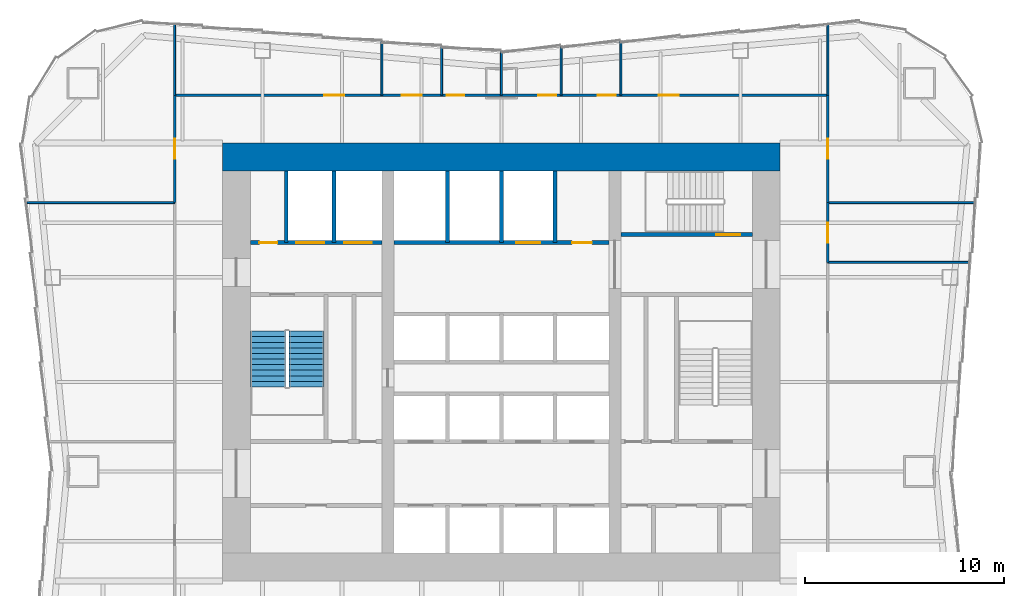
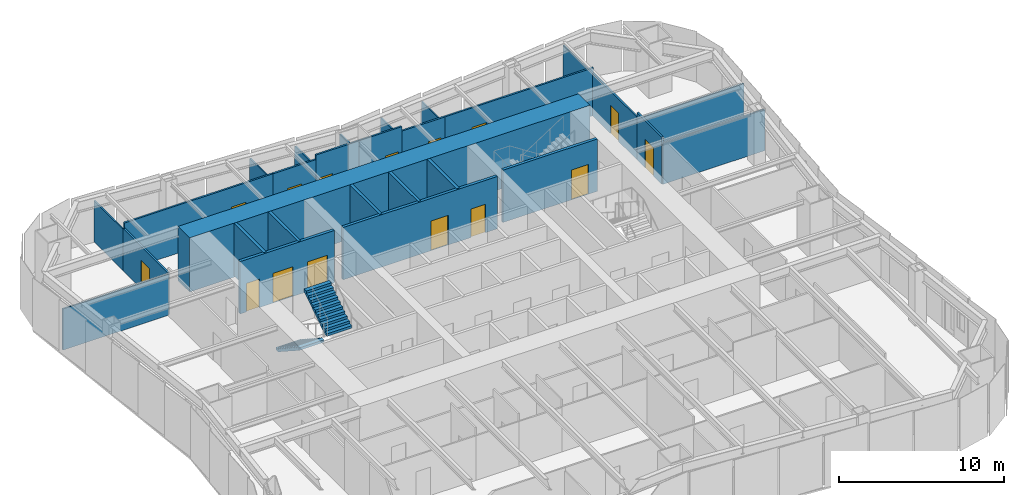
# One storey, part 6 of 9: 28 walls, 15 doors, 2 stair flights, 15 openings, 1 element without a shape of its own.
"""IFC4 building model written with IfcOpenShell, lengths in metres."""

from ifc_helpers import new_model, si_unit, direction, frame, frame_2d, origin, place, context, subcontext, project, spatial, polyline, rectangle, outline, extrude, material, layer, layer_set, type_object, element, fill, aggregate, save


model = new_model("IFC4")

# Units and contexts
model_context = context("Model", 3, precision=1e-05, world=origin(), true_north=direction((0.0, 1.0)))
body_context = subcontext(model_context, "Body", "Model", "MODEL_VIEW")
ifc_project = project(units=[si_unit("LENGTHUNIT", "METRE"), si_unit("AREAUNIT", "SQUARE_METRE"), si_unit("VOLUMEUNIT", "CUBIC_METRE"), si_unit("PLANEANGLEUNIT", "RADIAN"), si_unit("MASSUNIT", "GRAM", prefix="KILO")], contexts=[model_context])

# Site, building, storey
site_placement = place(None, origin())
site = spatial("IfcSite", under=ifc_project, at=site_placement, CompositionType="ELEMENT")
building_placement = place(site_placement, origin())
building = spatial("IfcBuilding", under=site, at=building_placement, Name="Verdant Reach Tower", CompositionType="ELEMENT")
storey_placement = place(building_placement, frame((0.0, 0.0, 30.0)))
storey = spatial("IfcBuildingStorey", under=building, at=storey_placement, Name="L06", CompositionType="ELEMENT", Elevation=30.0)

# Wall, openings, doors
ifc_material_1 = material(Name="Concrete C40/50", Category="concrete")
ifc_layer_1 = layer(ifc_material_1, 0.199951171875)
ifc_layer_set_1 = layer_set([ifc_layer_1], Name="CO-WALL-SHAFT")
wall_type_1 = type_object("IfcWallType", Name="CO-WALL-SHAFT", PredefinedType="PARTITIONING", material=ifc_layer_set_1)
wall_1_placement = place(storey_placement, frame((-12.60009765625, 34.0, 0.0), z_axis=(0.0, 0.0, 1.0), x_axis=(1.0, 0.0, 0.0)))
wall_1 = element("IfcWall", 1, at=wall_1_placement, inside=storey, type_object=wall_type_1, Name="Lift shaft wall, L06", PredefinedType="PARTITIONING", context=body_context, shape_type="SweptSolid", body=[
    extrude(rectangle(XDim=6.60009765625, YDim=0.199951171875, at=frame_2d((3.300048828125, 0.0))), origin(), (0.0, 0.0, 1.0), 3.8701171875),
])
opening_1_placement = place(wall_1_placement, frame((4.699951171875, 0.0, 0.0)))
opening_1 = element("IfcOpeningElement", 2, at=opening_1_placement, cuts=wall_1, Name="Opening LD-F1", PredefinedType="OPENING", context=body_context, shape_type="SweptSolid", body=[
    extrude(rectangle(XDim=1.39990234375, YDim=2.199951171875, at=frame_2d((0.699951171875, 1.10009765625))), frame((0.0, 0.10986328125, 0.0), z_axis=(0.0, -1.0, 0.0), x_axis=(1.0, 0.0, 0.0)), (0.0, 0.0, 1.0), 0.219970703125),
])
opening_2_placement = place(wall_1_placement, frame((2.300048828125, 0.0, 0.0)))
opening_2 = element("IfcOpeningElement", 3, at=opening_2_placement, cuts=wall_1, Name="Opening LD-F2", PredefinedType="OPENING", context=body_context, shape_type="SweptSolid", body=[
    extrude(rectangle(XDim=1.39990234375, YDim=2.199951171875, at=frame_2d((0.699951171875, 1.10009765625))), frame((0.0, 0.10986328125, 0.0), z_axis=(0.0, -1.0, 0.0), x_axis=(1.0, 0.0, 0.0)), (0.0, 0.0, 1.0), 0.219970703125),
])
opening_3_placement = place(wall_1_placement, frame((0.449951171875, 0.0, 0.0)))
opening_3 = element("IfcOpeningElement", 4, at=opening_3_placement, cuts=wall_1, Name="Opening RD", PredefinedType="OPENING", context=body_context, shape_type="SweptSolid", body=[
    extrude(rectangle(XDim=0.89990234375, YDim=2.10009765625, at=frame_2d((0.449951171875, 1.050048828125))), frame((0.0, 0.10986328125, 0.0), z_axis=(0.0, -1.0, 0.0), x_axis=(1.0, 0.0, 0.0)), (0.0, 0.0, 1.0), 0.219970703125),
])
ifc_material_2 = material(Name="Stainless steel", Category="steel")
door_type_1 = type_object("IfcDoorType", Name="CO-DOOR-LANDING-FF", OperationType="SLIDING_TO_LEFT", PredefinedType="DOOR", material=ifc_material_2)
door_1_placement = place(opening_1_placement, origin())
door_1 = element("IfcDoor", 5, at=door_1_placement, inside=storey, type_object=door_type_1, Name="Landing door F1, L06", OperationType="SLIDING_TO_LEFT", OverallHeight=2.199951171875, OverallWidth=1.39990234375, PredefinedType="DOOR", context=body_context, shape_type="SweptSolid", body=[
    extrude(rectangle(XDim=1.39990234375, YDim=2.199951171875, at=frame_2d((0.699951171875, 1.10009765625))), frame((0.0, 0.02490234375, 0.0), z_axis=(0.0, -1.0, 0.0), x_axis=(1.0, 0.0, 0.0)), (0.0, 0.0, 1.0), 0.050048828125),
])
fill(opening_1, door_1)
door_2_placement = place(opening_2_placement, origin())
door_2 = element("IfcDoor", 6, at=door_2_placement, inside=storey, type_object=door_type_1, Name="Landing door F2, L06", OperationType="SLIDING_TO_LEFT", OverallHeight=2.199951171875, OverallWidth=1.39990234375, PredefinedType="DOOR", context=body_context, shape_type="SweptSolid", body=[
    extrude(rectangle(XDim=1.39990234375, YDim=2.199951171875, at=frame_2d((0.699951171875, 1.10009765625))), frame((0.0, 0.02490234375, 0.0), z_axis=(0.0, -1.0, 0.0), x_axis=(1.0, 0.0, 0.0)), (0.0, 0.0, 1.0), 0.050048828125),
])
fill(opening_2, door_2)
ifc_material_3 = material(Name="Steel", Category="steel")
door_type_2 = type_object("IfcDoorType", Name="CO-DOOR-RISER", OperationType="NOTDEFINED", PredefinedType="DOOR", material=ifc_material_3)
door_3_placement = place(opening_3_placement, origin())
door_3 = element("IfcDoor", 7, at=door_3_placement, inside=storey, type_object=door_type_2, Name="Core room door, L06", OperationType="SINGLE_SWING_RIGHT", OverallHeight=2.10009765625, OverallWidth=0.89990234375, PredefinedType="DOOR", context=body_context, shape_type="SweptSolid", body=[
    extrude(rectangle(XDim=0.89990234375, YDim=2.10009765625, at=frame_2d((0.449951171875, 1.050048828125))), frame((0.0, 0.02490234375, 0.0), z_axis=(0.0, -1.0, 0.0), x_axis=(1.0, 0.0, 0.0)), (0.0, 0.0, 1.0), 0.050048828125),
])
fill(opening_3, door_3)

wall_2_placement = place(storey_placement, frame((-5.39990234375, 34.0, 0.0), z_axis=(0.0, 0.0, 1.0), x_axis=(1.0, 0.0, 0.0)))
wall_2 = element("IfcWall", 8, at=wall_2_placement, inside=storey, type_object=wall_type_1, Name="Lift shaft wall, L06", PredefinedType="PARTITIONING", context=body_context, shape_type="SweptSolid", body=[
    extrude(rectangle(XDim=10.7998046875, YDim=0.199951171875, at=frame_2d((5.39990234375, 0.0))), origin(), (0.0, 0.0, 1.0), 3.8701171875),
])
opening_4_placement = place(wall_2_placement, frame((6.14990234375, 0.0, 0.0)))
opening_4 = element("IfcOpeningElement", 9, at=opening_4_placement, cuts=wall_2, Name="Opening LD-SL1", PredefinedType="OPENING", context=body_context, shape_type="SweptSolid", body=[
    extrude(rectangle(XDim=1.199951171875, YDim=2.199951171875, at=frame_2d((0.60009765625, 1.10009765625))), frame((0.0, 0.10986328125, 0.0), z_axis=(0.0, -1.0, 0.0), x_axis=(1.0, 0.0, 0.0)), (0.0, 0.0, 1.0), 0.219970703125),
])
opening_5_placement = place(wall_2_placement, frame((8.949951171875, 0.0, 0.0)))
opening_5 = element("IfcOpeningElement", 10, at=opening_5_placement, cuts=wall_2, Name="Opening CD", PredefinedType="OPENING", context=body_context, shape_type="SweptSolid", body=[
    extrude(rectangle(XDim=1.0, YDim=2.10009765625, at=frame_2d((0.5, 1.050048828125))), frame((0.0, 0.10986328125, 0.0), z_axis=(0.0, -1.0, 0.0), x_axis=(1.0, 0.0, 0.0)), (0.0, 0.0, 1.0), 0.219970703125),
])
door_type_3 = type_object("IfcDoorType", Name="CO-DOOR-LANDING", OperationType="SLIDING_TO_LEFT", PredefinedType="DOOR", material=ifc_material_2)
door_4_placement = place(opening_4_placement, origin())
door_4 = element("IfcDoor", 11, at=door_4_placement, inside=storey, type_object=door_type_3, Name="Landing door SL1, L06", OperationType="SLIDING_TO_LEFT", OverallHeight=2.199951171875, OverallWidth=1.199951171875, PredefinedType="DOOR", context=body_context, shape_type="SweptSolid", body=[
    extrude(rectangle(XDim=1.199951171875, YDim=2.199951171875, at=frame_2d((0.60009765625, 1.10009765625))), frame((0.0, 0.02490234375, 0.0), z_axis=(0.0, -1.0, 0.0), x_axis=(1.0, 0.0, 0.0)), (0.0, 0.0, 1.0), 0.050048828125),
])
fill(opening_4, door_4)
ifc_material_4 = material(Name="Timber", Category="wood")
door_type_4 = type_object("IfcDoorType", Name="CO-DOOR-ROOM", OperationType="NOTDEFINED", PredefinedType="DOOR", material=ifc_material_4)
door_5_placement = place(opening_5_placement, origin())
door_5 = element("IfcDoor", 12, at=door_5_placement, inside=storey, type_object=door_type_4, Name="Core room door, L06", OperationType="SINGLE_SWING_LEFT", OverallHeight=2.10009765625, OverallWidth=1.0, PredefinedType="DOOR", context=body_context, shape_type="SweptSolid", body=[
    extrude(rectangle(XDim=1.0, YDim=2.10009765625, at=frame_2d((0.5, 1.050048828125))), frame((0.0, 0.02490234375, 0.0), z_axis=(0.0, -1.0, 0.0), x_axis=(1.0, 0.0, 0.0)), (0.0, 0.0, 1.0), 0.050048828125),
])
fill(opening_5, door_5)

# Walls
for number, where, z_axis, x_axis, name in (
    (13, (-10.800048828125, 34.0, 0.0), (0.0, 0.0, 1.0), (0.0, 1.0, 0.0), "Lift shaft wall, L06"),
    (14, (-8.39990234375, 34.0, 0.0), (0.0, 0.0, 1.0), (0.0, 1.0, 0.0), "Lift shaft wall, L06"),
    (15, (-2.699951171875, 34.0, 0.0), (0.0, 0.0, 1.0), (0.0, 1.0, 0.0), "Lift shaft wall, L06"),
    (16, (0.0, 34.0, 0.0), (0.0, 0.0, 1.0), (0.0, 1.0, 0.0), "Lift shaft wall, L06"),
    (17, (2.699951171875, 34.0, 0.0), (0.0, 0.0, 1.0), (0.0, 1.0, 0.0), "Lift shaft wall, L06"),
):
    element("IfcWall", number, at=place(storey_placement, frame(where, z_axis=z_axis, x_axis=x_axis)), inside=storey, type_object=wall_type_1, Name=name, PredefinedType="PARTITIONING", context=body_context, shape_type="SweptSolid", body=[
        extrude(rectangle(XDim=3.60009765625, YDim=0.199951171875, at=frame_2d((1.800048828125, 0.0))), origin(), (0.0, 0.0, 1.0), 3.8701171875),
    ])

# Wall, opening, door
ifc_layer_2 = layer(ifc_material_1, 0.199951171875)
ifc_layer_set_2 = layer_set([ifc_layer_2], Name="CO-WALL-STAIR")
wall_type_2 = type_object("IfcWallType", Name="CO-WALL-STAIR", PredefinedType="PARTITIONING", material=ifc_layer_set_2)
wall_3_placement = place(storey_placement, frame((6.0, 34.39990234375, 0.0), z_axis=(0.0, 0.0, 1.0), x_axis=(1.0, 0.0, 0.0)))
wall_3 = element("IfcWall", 18, at=wall_3_placement, inside=storey, type_object=wall_type_2, Name="Stair enclosure wall, L06", PredefinedType="PARTITIONING", context=body_context, shape_type="SweptSolid", body=[
    extrude(rectangle(XDim=6.60009765625, YDim=0.199951171875, at=frame_2d((3.300048828125, 0.0))), origin(), (0.0, 0.0, 1.0), 3.8701171875),
])
opening_6_placement = place(wall_3_placement, frame((4.800048828125, 0.0, 0.0)))
opening_6 = element("IfcOpeningElement", 19, at=opening_6_placement, cuts=wall_3, Name="Opening SD", PredefinedType="OPENING", context=body_context, shape_type="SweptSolid", body=[
    extrude(rectangle(XDim=1.199951171875, YDim=2.199951171875, at=frame_2d((0.60009765625, 1.10009765625))), frame((0.0, 0.10986328125, 0.0), z_axis=(0.0, -1.0, 0.0), x_axis=(1.0, 0.0, 0.0)), (0.0, 0.0, 1.0), 0.219970703125),
])
door_type_5 = type_object("IfcDoorType", Name="CO-DOOR-STAIR", OperationType="NOTDEFINED", PredefinedType="DOOR", material=ifc_material_3)
door_6_placement = place(opening_6_placement, origin())
door_6 = element("IfcDoor", 20, at=door_6_placement, inside=storey, type_object=door_type_5, Name="Stair door, L06", OperationType="SINGLE_SWING_RIGHT", OverallHeight=2.199951171875, OverallWidth=1.199951171875, PredefinedType="DOOR", context=body_context, shape_type="SweptSolid", body=[
    extrude(rectangle(XDim=1.199951171875, YDim=2.199951171875, at=frame_2d((0.60009765625, 1.10009765625))), frame((0.0, 0.02490234375, 0.0), z_axis=(0.0, -1.0, 0.0), x_axis=(1.0, 0.0, 0.0)), (0.0, 0.0, 1.0), 0.050048828125),
])
fill(opening_6, door_6)

# Walls
ifc_material_5 = material(Name="Gypsum board on steel studs", Category="steel")
ifc_layer_3 = layer(ifc_material_5, 0.10009765625)
ifc_layer_set_3 = layer_set([ifc_layer_3], Name="FL-W1 Partition 100")
wall_type_3 = type_object("IfcWallType", Name="FL-W1 Partition 100", PredefinedType="PARTITIONING", material=ifc_layer_set_3)
wall_4_placement = place(storey_placement, frame((-6.0, 41.39990234375, 0.0), z_axis=(0.0, 0.0, 1.0), x_axis=(0.0, 1.0, 0.0)))
element("IfcWall", 21, at=wall_4_placement, inside=storey, type_object=wall_type_3, Name="Partition 06.49", PredefinedType="PARTITIONING", context=body_context, shape_type="SweptSolid", body=[
    extrude(rectangle(XDim=2.68017578125, YDim=0.10009765625, at=frame_2d((1.340087890625, 0.0))), origin(), (0.0, 0.0, 1.0), 3.0400390625),
])
wall_5_placement = place(storey_placement, frame((-16.39990234375, 44.94677734375, 0.0), z_axis=(0.0, 0.0, 1.0), x_axis=(0.0, -1.0, 0.0)))
element("IfcWall", 22, at=wall_5_placement, inside=storey, type_object=wall_type_3, Name="Partition 06.50", PredefinedType="PARTITIONING", context=body_context, shape_type="SweptSolid", body=[
    extrude(rectangle(XDim=3.55078125, YDim=0.10009765625, at=frame_2d((1.775390625, 0.0))), origin(), (0.0, 0.0, 1.0), 3.0400390625),
])
wall_6_placement = place(storey_placement, frame((-3.0, 41.39990234375, 0.0), z_axis=(0.0, 0.0, 1.0), x_axis=(0.0, 1.0, 0.0)))
element("IfcWall", 23, at=wall_6_placement, inside=storey, type_object=wall_type_3, Name="Partition 06.51", PredefinedType="PARTITIONING", context=body_context, shape_type="SweptSolid", body=[
    extrude(rectangle(XDim=2.43017578125, YDim=0.10009765625, at=frame_2d((1.215087890625, 0.0))), origin(), (0.0, 0.0, 1.0), 3.0400390625),
])
wall_7_placement = place(storey_placement, frame((0.0, 41.39990234375, 0.0), z_axis=(0.0, 0.0, 1.0), x_axis=(0.0, 1.0, 0.0)))
element("IfcWall", 24, at=wall_7_placement, inside=storey, type_object=wall_type_3, Name="Partition 06.52", PredefinedType="PARTITIONING", context=body_context, shape_type="SweptSolid", body=[
    extrude(rectangle(XDim=2.18017578125, YDim=0.10009765625, at=frame_2d((1.090087890625, 0.0))), origin(), (0.0, 0.0, 1.0), 3.0400390625),
])
wall_8_placement = place(storey_placement, frame((3.0, 41.39990234375, 0.0), z_axis=(0.0, 0.0, 1.0), x_axis=(0.0, 1.0, 0.0)))
element("IfcWall", 25, at=wall_8_placement, inside=storey, type_object=wall_type_3, Name="Partition 06.53", PredefinedType="PARTITIONING", context=body_context, shape_type="SweptSolid", body=[
    extrude(rectangle(XDim=2.43017578125, YDim=0.10009765625, at=frame_2d((1.215087890625, 0.0))), origin(), (0.0, 0.0, 1.0), 3.0400390625),
])
wall_9_placement = place(storey_placement, frame((6.0, 41.39990234375, 0.0), z_axis=(0.0, 0.0, 1.0), x_axis=(0.0, 1.0, 0.0)))
element("IfcWall", 26, at=wall_9_placement, inside=storey, type_object=wall_type_3, Name="Partition 06.54", PredefinedType="PARTITIONING", context=body_context, shape_type="SweptSolid", body=[
    extrude(rectangle(XDim=2.68017578125, YDim=0.10009765625, at=frame_2d((1.340087890625, 0.0))), origin(), (0.0, 0.0, 1.0), 3.0400390625),
])
wall_10_placement = place(storey_placement, frame((16.39990234375, 41.39599609375, 0.0), z_axis=(0.0, 0.0, 1.0), x_axis=(0.0, 1.0, 0.0)))
element("IfcWall", 27, at=wall_10_placement, inside=storey, type_object=wall_type_3, Name="Partition 06.55", PredefinedType="PARTITIONING", context=body_context, shape_type="SweptSolid", body=[
    extrude(rectangle(XDim=3.55078125, YDim=0.10009765625, at=frame_2d((1.775390625, 0.0))), origin(), (0.0, 0.0, 1.0), 3.0400390625),
])
wall_11_placement = place(storey_placement, frame((-16.39990234375, 36.0, 0.0), z_axis=(0.0, 0.0, 1.0), x_axis=(-1.0, 0.0, 0.0)))
element("IfcWall", 28, at=wall_11_placement, inside=storey, type_object=wall_type_3, Name="Partition 06.57", PredefinedType="PARTITIONING", context=body_context, shape_type="SweptSolid", body=[
    extrude(rectangle(XDim=7.407470703125, YDim=0.10009765625, at=frame_2d((3.70361328125, 0.0))), origin(), (0.0, 0.0, 1.0), 3.0400390625),
])
wall_12_placement = place(storey_placement, frame((23.534423828125, 33.0, 0.0), z_axis=(0.0, 0.0, 1.0), x_axis=(-1.0, 0.0, 0.0)))
element("IfcWall", 29, at=wall_12_placement, inside=storey, type_object=wall_type_3, Name="Partition 06.60", PredefinedType="PARTITIONING", context=body_context, shape_type="SweptSolid", body=[
    extrude(rectangle(XDim=7.134521484375, YDim=0.10009765625, at=frame_2d((3.5673828125, 0.0))), origin(), (0.0, 0.0, 1.0), 3.0400390625),
])
wall_13_placement = place(storey_placement, frame((23.807373046875, 36.0, 0.0), z_axis=(0.0, 0.0, 1.0), x_axis=(-1.0, 0.0, 0.0)))
element("IfcWall", 30, at=wall_13_placement, inside=storey, type_object=wall_type_3, Name="Partition 06.61", PredefinedType="PARTITIONING", context=body_context, shape_type="SweptSolid", body=[
    extrude(rectangle(XDim=7.407470703125, YDim=0.10009765625, at=frame_2d((3.70361328125, 0.0))), origin(), (0.0, 0.0, 1.0), 3.0400390625),
])

# Wall, opening, door
ifc_material_6 = material(Name="Gypsum board on steel studs, fire rated", Category="steel")
ifc_layer_4 = layer(ifc_material_6, 0.125)
ifc_layer_set_4 = layer_set([ifc_layer_4], Name="FL-W2 Corridor wall 125")
wall_type_4 = type_object("IfcWallType", Name="FL-W2 Corridor wall 125", PredefinedType="PARTITIONING", material=ifc_layer_set_4)
wall_14_placement = place(storey_placement, frame((-16.39990234375, 41.39990234375, 0.0), z_axis=(0.0, 0.0, 1.0), x_axis=(1.0, 0.0, 0.0)))
wall_14 = element("IfcWall", 31, at=wall_14_placement, inside=storey, type_object=wall_type_4, Name="Partition 06.08", PredefinedType="PARTITIONING", context=body_context, shape_type="SweptSolid", body=[
    extrude(rectangle(XDim=10.39990234375, YDim=0.125, at=frame_2d((5.199951171875, 0.0))), origin(), (0.0, 0.0, 1.0), 3.5400390625),
])
opening_7_placement = place(wall_14_placement, frame((7.5, 0.0, 0.0)))
opening_7 = element("IfcOpeningElement", 32, at=opening_7_placement, cuts=wall_14, Name="Opening D2", PredefinedType="OPENING", context=body_context, shape_type="SweptSolid", body=[
    extrude(rectangle(XDim=1.0, YDim=2.10009765625, at=frame_2d((0.5, 1.050048828125))), frame((0.0, 0.072509765625, 0.0), z_axis=(0.0, -1.0, 0.0), x_axis=(1.0, 0.0, 0.0)), (0.0, 0.0, 1.0), 0.14501953125),
])
ifc_material_7 = material(Name="Timber door leaf, fire rated", Category="wood")
door_type_6 = type_object("IfcDoorType", Name="FL-D2 Entrance door 1000x2100 FD30", OperationType="NOTDEFINED", PredefinedType="DOOR", material=ifc_material_7)
door_7_placement = place(opening_7_placement, origin())
door_7 = element("IfcDoor", 33, at=door_7_placement, inside=storey, type_object=door_type_6, Name="Door 06-004", OperationType="SINGLE_SWING_RIGHT", OverallHeight=2.10009765625, OverallWidth=1.0, PredefinedType="DOOR", context=body_context, shape_type="SweptSolid", body=[
    extrude(rectangle(XDim=1.0, YDim=2.10009765625, at=frame_2d((0.5, 1.050048828125))), frame((0.0, 0.02490234375, 0.0), z_axis=(0.0, -1.0, 0.0), x_axis=(1.0, 0.0, 0.0)), (0.0, 0.0, 1.0), 0.050048828125),
])
fill(opening_7, door_7)

wall_15_placement = place(storey_placement, frame((-6.0, 41.39990234375, 0.0), z_axis=(0.0, 0.0, 1.0), x_axis=(1.0, 0.0, 0.0)))
wall_15 = element("IfcWall", 34, at=wall_15_placement, inside=storey, type_object=wall_type_4, Name="Partition 06.09", PredefinedType="PARTITIONING", context=body_context, shape_type="SweptSolid", body=[
    extrude(rectangle(XDim=3.0, YDim=0.125, at=frame_2d((1.5, 0.0))), origin(), (0.0, 0.0, 1.0), 3.5400390625),
])
opening_8_placement = place(wall_15_placement, frame((1.0, 0.0, 0.0)))
opening_8 = element("IfcOpeningElement", 35, at=opening_8_placement, cuts=wall_15, Name="Opening D2", PredefinedType="OPENING", context=body_context, shape_type="SweptSolid", body=[
    extrude(rectangle(XDim=1.0, YDim=2.10009765625, at=frame_2d((0.5, 1.050048828125))), frame((0.0, 0.072509765625, 0.0), z_axis=(0.0, -1.0, 0.0), x_axis=(1.0, 0.0, 0.0)), (0.0, 0.0, 1.0), 0.14501953125),
])
door_8_placement = place(opening_8_placement, origin())
door_8 = element("IfcDoor", 36, at=door_8_placement, inside=storey, type_object=door_type_6, Name="Door 06-005", OperationType="SINGLE_SWING_LEFT", OverallHeight=2.10009765625, OverallWidth=1.0, PredefinedType="DOOR", context=body_context, shape_type="SweptSolid", body=[
    extrude(rectangle(XDim=1.0, YDim=2.10009765625, at=frame_2d((0.5, 1.050048828125))), frame((0.0, 0.02490234375, 0.0), z_axis=(0.0, -1.0, 0.0), x_axis=(1.0, 0.0, 0.0)), (0.0, 0.0, 1.0), 0.050048828125),
])
fill(opening_8, door_8)

wall_16_placement = place(storey_placement, frame((-3.0, 41.39990234375, 0.0), z_axis=(0.0, 0.0, 1.0), x_axis=(1.0, 0.0, 0.0)))
wall_16 = element("IfcWall", 37, at=wall_16_placement, inside=storey, type_object=wall_type_4, Name="Partition 06.10", PredefinedType="PARTITIONING", context=body_context, shape_type="SweptSolid", body=[
    extrude(rectangle(XDim=3.0, YDim=0.125, at=frame_2d((1.5, 0.0))), origin(), (0.0, 0.0, 1.0), 3.8701171875),
])
opening_9_placement = place(wall_16_placement, frame((0.25, 0.0, 0.0)))
opening_9 = element("IfcOpeningElement", 38, at=opening_9_placement, cuts=wall_16, Name="Opening D1", PredefinedType="OPENING", context=body_context, shape_type="SweptSolid", body=[
    extrude(rectangle(XDim=0.89990234375, YDim=2.10009765625, at=frame_2d((0.449951171875, 1.050048828125))), frame((0.0, 0.072509765625, 0.0), z_axis=(0.0, -1.0, 0.0), x_axis=(1.0, 0.0, 0.0)), (0.0, 0.0, 1.0), 0.14501953125),
])
ifc_material_8 = material(Name="Painted timber door leaf", Category="wood")
door_type_7 = type_object("IfcDoorType", Name="FL-D1 Door 900x2100", OperationType="NOTDEFINED", PredefinedType="DOOR", material=ifc_material_8)
door_9_placement = place(opening_9_placement, origin())
door_9 = element("IfcDoor", 39, at=door_9_placement, inside=storey, type_object=door_type_7, Name="Door 06-006", OperationType="SINGLE_SWING_LEFT", OverallHeight=2.10009765625, OverallWidth=0.89990234375, PredefinedType="DOOR", context=body_context, shape_type="SweptSolid", body=[
    extrude(rectangle(XDim=0.89990234375, YDim=2.10009765625, at=frame_2d((0.449951171875, 1.050048828125))), frame((0.0, 0.02490234375, 0.0), z_axis=(0.0, -1.0, 0.0), x_axis=(1.0, 0.0, 0.0)), (0.0, 0.0, 1.0), 0.050048828125),
])
fill(opening_9, door_9)

wall_17_placement = place(storey_placement, frame((0.0, 41.39990234375, 0.0), z_axis=(0.0, 0.0, 1.0), x_axis=(1.0, 0.0, 0.0)))
wall_17 = element("IfcWall", 40, at=wall_17_placement, inside=storey, type_object=wall_type_4, Name="Partition 06.11", PredefinedType="PARTITIONING", context=body_context, shape_type="SweptSolid", body=[
    extrude(rectangle(XDim=3.0, YDim=0.125, at=frame_2d((1.5, 0.0))), origin(), (0.0, 0.0, 1.0), 3.8701171875),
])
opening_10_placement = place(wall_17_placement, frame((1.85009765625, 0.0, 0.0)))
opening_10 = element("IfcOpeningElement", 41, at=opening_10_placement, cuts=wall_17, Name="Opening D1", PredefinedType="OPENING", context=body_context, shape_type="SweptSolid", body=[
    extrude(rectangle(XDim=0.89990234375, YDim=2.10009765625, at=frame_2d((0.449951171875, 1.050048828125))), frame((0.0, 0.072509765625, 0.0), z_axis=(0.0, -1.0, 0.0), x_axis=(1.0, 0.0, 0.0)), (0.0, 0.0, 1.0), 0.14501953125),
])
door_10_placement = place(opening_10_placement, origin())
door_10 = element("IfcDoor", 42, at=door_10_placement, inside=storey, type_object=door_type_7, Name="Door 06-007", OperationType="SINGLE_SWING_RIGHT", OverallHeight=2.10009765625, OverallWidth=0.89990234375, PredefinedType="DOOR", context=body_context, shape_type="SweptSolid", body=[
    extrude(rectangle(XDim=0.89990234375, YDim=2.10009765625, at=frame_2d((0.449951171875, 1.050048828125))), frame((0.0, 0.02490234375, 0.0), z_axis=(0.0, -1.0, 0.0), x_axis=(1.0, 0.0, 0.0)), (0.0, 0.0, 1.0), 0.050048828125),
])
fill(opening_10, door_10)

wall_18_placement = place(storey_placement, frame((3.0, 41.39990234375, 0.0), z_axis=(0.0, 0.0, 1.0), x_axis=(1.0, 0.0, 0.0)))
wall_18 = element("IfcWall", 43, at=wall_18_placement, inside=storey, type_object=wall_type_4, Name="Partition 06.12", PredefinedType="PARTITIONING", context=body_context, shape_type="SweptSolid", body=[
    extrude(rectangle(XDim=3.0, YDim=0.125, at=frame_2d((1.5, 0.0))), origin(), (0.0, 0.0, 1.0), 3.5400390625),
])
opening_11_placement = place(wall_18_placement, frame((1.85009765625, 0.0, 0.0)))
opening_11 = element("IfcOpeningElement", 44, at=opening_11_placement, cuts=wall_18, Name="Opening D1", PredefinedType="OPENING", context=body_context, shape_type="SweptSolid", body=[
    extrude(rectangle(XDim=0.89990234375, YDim=2.10009765625, at=frame_2d((0.449951171875, 1.050048828125))), frame((0.0, 0.072509765625, 0.0), z_axis=(0.0, -1.0, 0.0), x_axis=(1.0, 0.0, 0.0)), (0.0, 0.0, 1.0), 0.14501953125),
])
door_11_placement = place(opening_11_placement, origin())
door_11 = element("IfcDoor", 45, at=door_11_placement, inside=storey, type_object=door_type_7, Name="Door 06-008", OperationType="SINGLE_SWING_RIGHT", OverallHeight=2.10009765625, OverallWidth=0.89990234375, PredefinedType="DOOR", context=body_context, shape_type="SweptSolid", body=[
    extrude(rectangle(XDim=0.89990234375, YDim=2.10009765625, at=frame_2d((0.449951171875, 1.050048828125))), frame((0.0, 0.02490234375, 0.0), z_axis=(0.0, -1.0, 0.0), x_axis=(1.0, 0.0, 0.0)), (0.0, 0.0, 1.0), 0.050048828125),
])
fill(opening_11, door_11)

wall_19_placement = place(storey_placement, frame((6.0, 41.39990234375, 0.0), z_axis=(0.0, 0.0, 1.0), x_axis=(1.0, 0.0, 0.0)))
wall_19 = element("IfcWall", 46, at=wall_19_placement, inside=storey, type_object=wall_type_4, Name="Partition 06.13", PredefinedType="PARTITIONING", context=body_context, shape_type="SweptSolid", body=[
    extrude(rectangle(XDim=10.39990234375, YDim=0.125, at=frame_2d((5.199951171875, 0.0))), origin(), (0.0, 0.0, 1.0), 3.5400390625),
])
opening_12_placement = place(wall_19_placement, frame((1.89990234375, 0.0, 0.0)))
opening_12 = element("IfcOpeningElement", 47, at=opening_12_placement, cuts=wall_19, Name="Opening D2", PredefinedType="OPENING", context=body_context, shape_type="SweptSolid", body=[
    extrude(rectangle(XDim=1.0, YDim=2.10009765625, at=frame_2d((0.5, 1.050048828125))), frame((0.0, 0.072509765625, 0.0), z_axis=(0.0, -1.0, 0.0), x_axis=(1.0, 0.0, 0.0)), (0.0, 0.0, 1.0), 0.14501953125),
])
door_12_placement = place(opening_12_placement, origin())
door_12 = element("IfcDoor", 48, at=door_12_placement, inside=storey, type_object=door_type_6, Name="Door 06-009", OperationType="SINGLE_SWING_LEFT", OverallHeight=2.10009765625, OverallWidth=1.0, PredefinedType="DOOR", context=body_context, shape_type="SweptSolid", body=[
    extrude(rectangle(XDim=1.0, YDim=2.10009765625, at=frame_2d((0.5, 1.050048828125))), frame((0.0, 0.02490234375, 0.0), z_axis=(0.0, -1.0, 0.0), x_axis=(1.0, 0.0, 0.0)), (0.0, 0.0, 1.0), 0.050048828125),
])
fill(opening_12, door_12)

wall_20_placement = place(storey_placement, frame((-16.39990234375, 36.0, 0.0), z_axis=(0.0, 0.0, 1.0), x_axis=(0.0, 1.0, 0.0)))
wall_20 = element("IfcWall", 49, at=wall_20_placement, inside=storey, type_object=wall_type_4, Name="Partition 06.16", PredefinedType="PARTITIONING", context=body_context, shape_type="SweptSolid", body=[
    extrude(rectangle(XDim=5.404052734375, YDim=0.125, at=frame_2d((2.7021484375, 0.0))), origin(), (0.0, 0.0, 1.0), 3.139892578125),
])
opening_13_placement = place(wall_20_placement, frame((2.201904296875, 0.0, 0.0)))
opening_13 = element("IfcOpeningElement", 50, at=opening_13_placement, cuts=wall_20, Name="Opening D2", PredefinedType="OPENING", context=body_context, shape_type="SweptSolid", body=[
    extrude(rectangle(XDim=1.0, YDim=2.10009765625, at=frame_2d((0.5, 1.050048828125))), frame((0.0, 0.072509765625, 0.0), z_axis=(0.0, -1.0, 0.0), x_axis=(1.0, 0.0, 0.0)), (0.0, 0.0, 1.0), 0.14501953125),
])
door_13_placement = place(opening_13_placement, origin())
door_13 = element("IfcDoor", 51, at=door_13_placement, inside=storey, type_object=door_type_6, Name="Door 06-012", OperationType="SINGLE_SWING_RIGHT", OverallHeight=2.10009765625, OverallWidth=1.0, PredefinedType="DOOR", context=body_context, shape_type="SweptSolid", body=[
    extrude(rectangle(XDim=1.0, YDim=2.10009765625, at=frame_2d((0.5, 1.050048828125))), frame((0.0, 0.02490234375, 0.0), z_axis=(0.0, -1.0, 0.0), x_axis=(1.0, 0.0, 0.0)), (0.0, 0.0, 1.0), 0.050048828125),
])
fill(opening_13, door_13)

wall_21_placement = place(storey_placement, frame((16.39990234375, 36.0, 0.0), z_axis=(0.0, 0.0, 1.0), x_axis=(0.0, -1.0, 0.0)))
wall_21 = element("IfcWall", 52, at=wall_21_placement, inside=storey, type_object=wall_type_4, Name="Partition 06.20", PredefinedType="PARTITIONING", context=body_context, shape_type="SweptSolid", body=[
    extrude(rectangle(XDim=3.0, YDim=0.125, at=frame_2d((1.5, 0.0))), origin(), (0.0, 0.0, 1.0), 3.47998046875),
])
opening_14_placement = place(wall_21_placement, frame((1.0, 0.0, 0.0)))
opening_14 = element("IfcOpeningElement", 53, at=opening_14_placement, cuts=wall_21, Name="Opening D2", PredefinedType="OPENING", context=body_context, shape_type="SweptSolid", body=[
    extrude(rectangle(XDim=1.0, YDim=2.10009765625, at=frame_2d((0.5, 1.050048828125))), frame((0.0, 0.072509765625, 0.0), z_axis=(0.0, -1.0, 0.0), x_axis=(1.0, 0.0, 0.0)), (0.0, 0.0, 1.0), 0.14501953125),
])
door_14_placement = place(opening_14_placement, origin())
door_14 = element("IfcDoor", 54, at=door_14_placement, inside=storey, type_object=door_type_6, Name="Door 06-016", OperationType="SINGLE_SWING_RIGHT", OverallHeight=2.10009765625, OverallWidth=1.0, PredefinedType="DOOR", context=body_context, shape_type="SweptSolid", body=[
    extrude(rectangle(XDim=1.0, YDim=2.10009765625, at=frame_2d((0.5, 1.050048828125))), frame((0.0, 0.02490234375, 0.0), z_axis=(0.0, -1.0, 0.0), x_axis=(1.0, 0.0, 0.0)), (0.0, 0.0, 1.0), 0.050048828125),
])
fill(opening_14, door_14)

wall_22_placement = place(storey_placement, frame((16.39990234375, 41.404052734375, 0.0), z_axis=(0.0, 0.0, 1.0), x_axis=(0.0, -1.0, 0.0)))
wall_22 = element("IfcWall", 55, at=wall_22_placement, inside=storey, type_object=wall_type_4, Name="Partition 06.21", PredefinedType="PARTITIONING", context=body_context, shape_type="SweptSolid", body=[
    extrude(rectangle(XDim=5.404052734375, YDim=0.125, at=frame_2d((2.7021484375, 0.0))), origin(), (0.0, 0.0, 1.0), 3.139892578125),
])
opening_15_placement = place(wall_22_placement, frame((2.201904296875, 0.0, 0.0)))
opening_15 = element("IfcOpeningElement", 56, at=opening_15_placement, cuts=wall_22, Name="Opening D2", PredefinedType="OPENING", context=body_context, shape_type="SweptSolid", body=[
    extrude(rectangle(XDim=1.0, YDim=2.10009765625, at=frame_2d((0.5, 1.050048828125))), frame((0.0, 0.072509765625, 0.0), z_axis=(0.0, -1.0, 0.0), x_axis=(1.0, 0.0, 0.0)), (0.0, 0.0, 1.0), 0.14501953125),
])
door_15_placement = place(opening_15_placement, origin())
door_15 = element("IfcDoor", 57, at=door_15_placement, inside=storey, type_object=door_type_6, Name="Door 06-017", OperationType="SINGLE_SWING_LEFT", OverallHeight=2.10009765625, OverallWidth=1.0, PredefinedType="DOOR", context=body_context, shape_type="SweptSolid", body=[
    extrude(rectangle(XDim=1.0, YDim=2.10009765625, at=frame_2d((0.5, 1.050048828125))), frame((0.0, 0.02490234375, 0.0), z_axis=(0.0, -1.0, 0.0), x_axis=(1.0, 0.0, 0.0)), (0.0, 0.0, 1.0), 0.050048828125),
])
fill(opening_15, door_15)

# Wall
ifc_material_9 = material(Name="Concrete C70/85", Category="concrete")
ifc_layer_5 = layer(ifc_material_9, 1.39990234375)
ifc_layer_set_5 = layer_set([ifc_layer_5], Name="ST-CORE-WALL-1400")
wall_type_5 = type_object("IfcWallType", Name="ST-CORE-WALL-1400", PredefinedType="SHEAR", material=ifc_layer_set_5)
wall_23_placement = place(storey_placement, frame((-14.0, 38.300048828125, -0.1298828125), z_axis=(0.0, 0.0, 1.0), x_axis=(1.0, 0.0, 0.0)))
element("IfcWall", 58, at=wall_23_placement, inside=storey, type_object=wall_type_5, Name="Core wall N, L06", PredefinedType="SHEAR", context=body_context, shape_type="SweptSolid", body=[
    extrude(rectangle(XDim=28.0, YDim=1.39990234375, at=frame_2d((14.0, 0.0))), origin(), (0.0, 0.0, 1.0), 4.0),
])

# Stair, stair flights
stair_type = type_object("IfcStairType", Name="CO-STAIR", PredefinedType="HALF_TURN_STAIR", material=ifc_material_1)
stair_placement = place(storey_placement, origin())
stair = element("IfcStair", 59, at=stair_placement, inside=storey, type_object=stair_type, Name="L06 Exit stair 1", PredefinedType="HALF_TURN_STAIR")
stair_flight_type = type_object("IfcStairFlightType", Name="CO-STAIR-FLIGHT", PredefinedType="STRAIGHT", material=ifc_material_1)
stair_flight_1_placement = place(storey_placement, frame((-11.72509765625, 29.550048828125, 0.0), z_axis=(0.0, 0.0, 1.0), x_axis=(0.0, -1.0, 0.0)))
stair_flight_1 = element("IfcStairFlight", 60, at=stair_flight_1_placement, type_object=stair_flight_type, Name="ST-1 flight 1", NumberOfRisers=11, NumberOfTreads=10, PredefinedType="STRAIGHT", RiserHeight=0.181818182, TreadLength=0.28, context=body_context, shape_type="SweptSolid", body=[
    extrude(outline(polyline([(0.0, 0.0), (0.0, 0.181884765625), (0.280029296875, 0.181884765625), (0.280029296875, 0.363525390625), (0.56005859375, 0.363525390625), (0.56005859375, 0.54541015625), (0.840087890625, 0.54541015625), (0.840087890625, 0.727294921875), (1.1201171875, 0.727294921875), (1.1201171875, 0.9091796875), (1.39990234375, 0.9091796875), (1.39990234375, 1.0908203125), (1.679931640625, 1.0908203125), (1.679931640625, 1.272705078125), (1.9599609375, 1.272705078125), (1.9599609375, 1.45458984375), (2.239990234375, 1.45458984375), (2.239990234375, 1.636474609375), (2.52001953125, 1.636474609375), (2.52001953125, 1.818115234375), (2.800048828125, 1.818115234375), (2.800048828125, 2.0), (2.800048828125, 1.639404296875), (0.275146484375, 0.0), (0.0, 0.0)])), frame((0.0, 0.875, 0.0), z_axis=(0.0, -1.0, 0.0), x_axis=(1.0, 0.0, 0.0)), (0.0, 0.0, 1.0), 1.75),
])
stair_flight_2_placement = place(storey_placement, frame((-9.77490234375, 26.75, 2.0), z_axis=(0.0, 0.0, 1.0), x_axis=(0.0, 1.0, 0.0)))
stair_flight_2 = element("IfcStairFlight", 61, at=stair_flight_2_placement, type_object=stair_flight_type, Name="ST-1 flight 2", NumberOfRisers=11, NumberOfTreads=10, PredefinedType="STRAIGHT", RiserHeight=0.181818182, TreadLength=0.28, context=body_context, shape_type="SweptSolid", body=[
    extrude(outline(polyline([(0.0, 0.0), (0.0, 0.181884765625), (0.280029296875, 0.181884765625), (0.280029296875, 0.363525390625), (0.56005859375, 0.363525390625), (0.56005859375, 0.54541015625), (0.840087890625, 0.54541015625), (0.840087890625, 0.727294921875), (1.1201171875, 0.727294921875), (1.1201171875, 0.9091796875), (1.39990234375, 0.9091796875), (1.39990234375, 1.0908203125), (1.679931640625, 1.0908203125), (1.679931640625, 1.272705078125), (1.9599609375, 1.272705078125), (1.9599609375, 1.45458984375), (2.239990234375, 1.45458984375), (2.239990234375, 1.636474609375), (2.52001953125, 1.636474609375), (2.52001953125, 1.818115234375), (2.800048828125, 1.818115234375), (2.800048828125, 2.0), (2.800048828125, 1.639404296875), (0.275146484375, 0.0), (0.0, 0.0)])), frame((0.0, 0.875, 0.0), z_axis=(0.0, -1.0, 0.0), x_axis=(1.0, 0.0, 0.0)), (0.0, 0.0, 1.0), 1.75),
])
aggregate(stair, [stair_flight_1, stair_flight_2])

save(model, "model.ifc")
